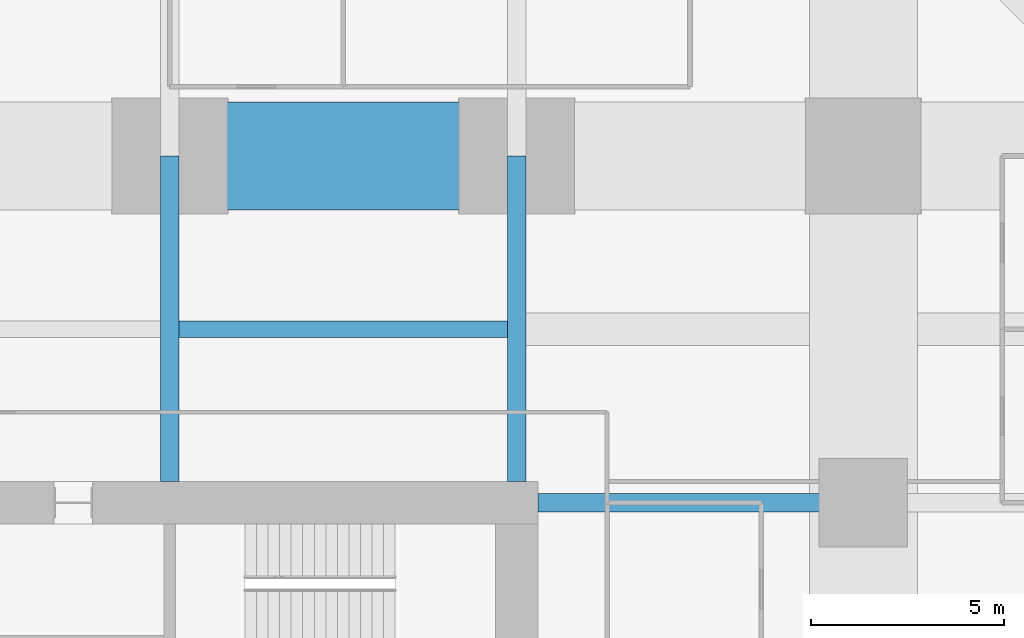
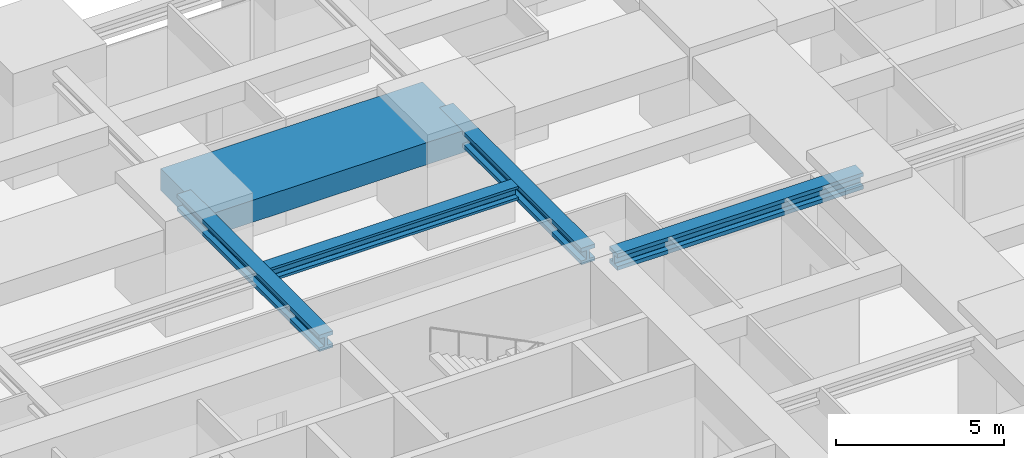
# One storey, part 30 of 42: 5 beams.
"""IFC4 building model written with IfcOpenShell, lengths in metres."""

from ifc_helpers import new_model, si_unit, direction, frame, origin, origin_2d, place, context, subcontext, project, spatial, rectangle, i_section, extrude, material, material_profile, profile_set, type_object, element, save


model = new_model("IFC4")

# Units and contexts
model_context = context("Model", 3, precision=1e-05, world=origin(), true_north=direction((0.0, 1.0)))
body_context = subcontext(model_context, "Body", "Model", "MODEL_VIEW")
ifc_project = project(units=[si_unit("LENGTHUNIT", "METRE"), si_unit("AREAUNIT", "SQUARE_METRE"), si_unit("VOLUMEUNIT", "CUBIC_METRE"), si_unit("PLANEANGLEUNIT", "RADIAN"), si_unit("MASSUNIT", "GRAM", prefix="KILO")], contexts=[model_context])

# Site, building, storey
site_placement = place(None, origin())
site = spatial("IfcSite", under=ifc_project, at=site_placement, CompositionType="ELEMENT")
building_placement = place(site_placement, origin())
building = spatial("IfcBuilding", under=site, at=building_placement, Name="Zorevar Civic Tower", CompositionType="ELEMENT")
storey_placement = place(building_placement, frame((0.0, 0.0, 75.800048828125)))
storey = spatial("IfcBuildingStorey", under=building, at=storey_placement, Name="L18", CompositionType="ELEMENT", Elevation=75.800048828125)

# Beams
ifc_material_1 = material(Name="Concrete C50/60", Category="concrete")
ifc_material_profile_1 = material_profile(ifc_material_1, rectangle(XDim=2.800048828125, YDim=0.800048828125, at=origin_2d()), Name="RC 2800x800")
ifc_profile_set_1 = profile_set([ifc_material_profile_1], Name="Concrete C50/60")
beam_type_1 = type_object("IfcBeamType", Name="Beam RC 2800x800", PredefinedType="BEAM", material=ifc_profile_set_1)
beam_1_placement = place(storey_placement, frame((36.0, 45.0, 3.449951171875), z_axis=(1.0, 0.0, 0.0), x_axis=(0.0, 1.0, 0.0)))
element("IfcBeam", 1, at=beam_1_placement, inside=storey, type_object=beam_type_1, Name="Girder L19", PredefinedType="BEAM", context=body_context, shape_type="SweptSolid", body=[
    extrude(rectangle(XDim=2.800048828125, YDim=0.800048828125, at=origin_2d()), origin(), (0.0, 0.0, 1.0), 9.0),
])
ifc_material_2 = material(Name="Steel S460M (HISTAR 460)", Category="steel")
ifc_material_profile_2 = material_profile(ifc_material_2, i_section(OverallWidth=0.431884765625, OverallDepth=0.498046875, WebThickness=0.0556640625, FlangeThickness=0.0888671875, FilletRadius=0.014892578125, at=origin_2d()), Name="HD 400x744")
ifc_profile_set_2 = profile_set([ifc_material_profile_2], Name="Steel S460M (HISTAR 460)")
beam_type_2 = type_object("IfcBeamType", Name="Core bay beam HD 400x744", PredefinedType="BEAM", material=ifc_profile_set_2)
beam_2_placement = place(storey_placement, frame((36.238037109375, 40.5, 3.600830078125), z_axis=(1.0, 0.0, 0.0), x_axis=(0.0, 1.0, 0.0)))
element("IfcBeam", 2, at=beam_2_placement, inside=storey, type_object=beam_type_2, Name="Secondary beam L19", PredefinedType="BEAM", context=body_context, shape_type="SweptSolid", body=[
    extrude(i_section(OverallWidth=0.431884765625, OverallDepth=0.498046875, WebThickness=0.0556640625, FlangeThickness=0.0888671875, FilletRadius=0.014892578125, at=origin_2d()), origin(), (0.0, 0.0, 1.0), 8.52392578125),
])
ifc_material_3 = material(Name="Steel S460M (HISTAR 460)", Category="steel")
ifc_material_profile_3 = material_profile(ifc_material_3, i_section(OverallWidth=0.47607421875, OverallDepth=0.60009765625, WebThickness=0.10009765625, FlangeThickness=0.139892578125, FilletRadius=0.014892578125, at=origin_2d()), Name="HD 400x1299")
ifc_profile_set_3 = profile_set([ifc_material_profile_3], Name="Steel S460M (HISTAR 460)")
beam_type_3 = type_object("IfcBeamType", Name="Outrigger chord HD 400x1299", PredefinedType="BEAM", material=ifc_profile_set_3)
for number, where, z_axis, x_axis, name in (
    (3, (45.550048828125, 36.0, 3.550048828125), (1.0, 0.0, 0.0), (0.0, 1.0, 0.0), "Outrigger chord L19"),
    (4, (36.0, 36.550048828125, 3.550048828125), (0.0, 1.0, 0.0), (-1.0, 0.0, 0.0), "Outrigger chord L19"),
    (5, (45.0, 36.550048828125, 3.550048828125), (0.0, 1.0, 0.0), (-1.0, 0.0, 0.0), "Outrigger chord L19"),
):
    element("IfcBeam", number, at=place(storey_placement, frame(where, z_axis=z_axis, x_axis=x_axis)), inside=storey, type_object=beam_type_3, Name=name, PredefinedType="BEAM", context=body_context, shape_type="SweptSolid", body=[
        extrude(i_section(OverallWidth=0.47607421875, OverallDepth=0.60009765625, WebThickness=0.10009765625, FlangeThickness=0.139892578125, FilletRadius=0.014892578125, at=origin_2d()), origin(), (0.0, 0.0, 1.0), 8.449951171875),
    ])

save(model, "model.ifc")
